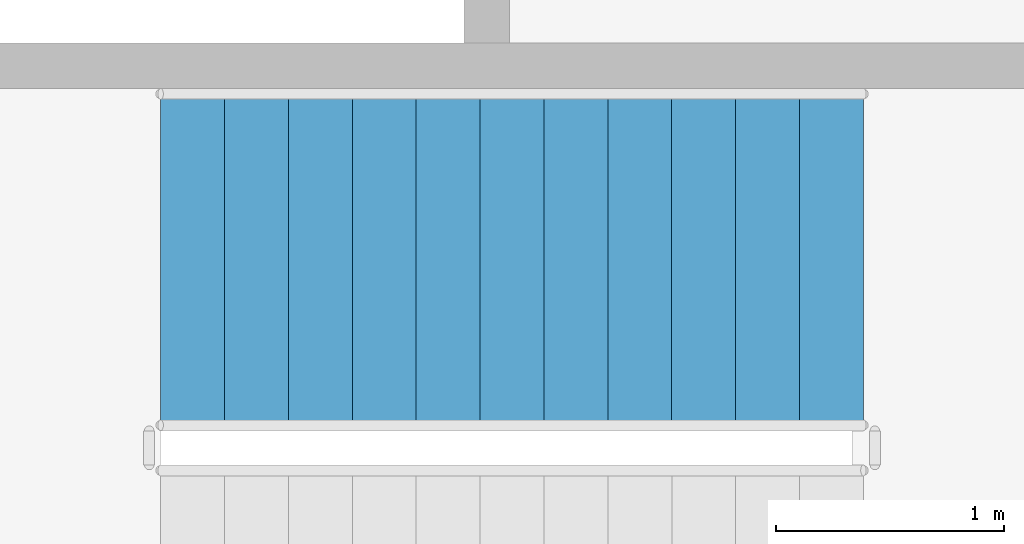
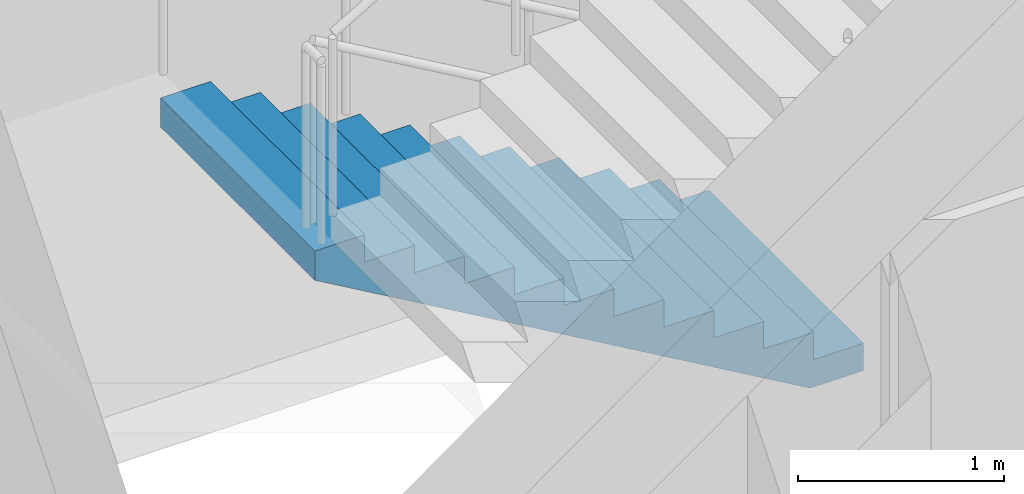
# One storey, part 49 of 56: 1 stair flight, 1 element without a shape of its own.
"""IFC4 building model written with IfcOpenShell, lengths in metres."""

import ifcopenshell
import ifcopenshell.guid

model = None  # the IFC model being written
_history = None  # IfcOwnerHistory: only IFC2X3 demands one
_inside = {}  # id of a spatial element -> (the spatial element, [elements in it])
_under = {}  # id of a project, library or spatial element -> (it, [spatial elements below it])
_declared = {}  # id of a project -> (the project, [libraries it declares])
_typed = {}  # id of a type object -> (the type object, [elements of that type])
_made_of = {}  # id of a material, layer set ... -> (it, [elements and type objects made of it])


def new_model(schema):
    """Start an empty IFC model of exactly this schema.

    Asked for "IFC4X3", IfcOpenShell would pick the latest addendum, in which some entities
    have other attributes; the version numbers below select the first issue.
    IFC2X3 requires an IfcOwnerHistory on every rooted entity: one is made here for all.
    """
    global model, _history
    if schema == "IFC4X3":
        model = ifcopenshell.file(schema_version=(4, 3, 0, 0))
    else:
        model = ifcopenshell.file(schema=schema)
    _inside.clear()
    _under.clear()
    _declared.clear()
    _typed.clear()
    _made_of.clear()
    _history = None
    if model.schema == "IFC2X3":
        org = make("IfcOrganization", Name="unknown")
        user = make(
            "IfcPersonAndOrganization",
            ThePerson=make("IfcPerson", FamilyName="unknown"),
            TheOrganization=org,
        )
        app = make(
            "IfcApplication",
            ApplicationDeveloper=org,
            Version="unknown",
            ApplicationFullName="unknown",
            ApplicationIdentifier="unknown",
        )
        _history = make(
            "IfcOwnerHistory",
            OwningUser=user,
            OwningApplication=app,
            ChangeAction="ADDED",
            CreationDate=0,
        )
    return model


def make(cls, **values):
    """One entity of the class cls with the attributes given. An attribute that is None is left unset."""
    return model.create_entity(
        cls, **{name: value for name, value in values.items() if value is not None}
    )


def rooted(cls, **values):
    """An entity with a GlobalId (a new one), such as an element, a storey or a relation."""
    return make(cls, GlobalId=ifcopenshell.guid.new(), OwnerHistory=_history, **values)


def si_unit(unit_type, name, prefix=None):
    """IfcSIUnit, for example si_unit("LENGTHUNIT", "METRE", prefix="MILLI")."""
    return make("IfcSIUnit", UnitType=unit_type, Prefix=prefix, Name=name)


def assignment(units):
    """IfcUnitAssignment: the units of a project."""
    return None if units is None else make("IfcUnitAssignment", Units=units)


def point(xyz):
    """IfcCartesianPoint."""
    return None if xyz is None else make("IfcCartesianPoint", Coordinates=xyz)


def direction(xyz):
    """IfcDirection."""
    return None if xyz is None else make("IfcDirection", DirectionRatios=xyz)


def frame(location, z_axis=None, x_axis=None):
    """IfcAxis2Placement3D, a coordinate frame: its origin and axes. An axis left out is left unset."""
    return make(
        "IfcAxis2Placement3D",
        Location=point(location),
        Axis=direction(z_axis),
        RefDirection=direction(x_axis),
    )


def origin():
    """The frame at (0, 0, 0) with its axes left unset."""
    return frame((0.0, 0.0, 0.0))


def place(relative_to, where):
    """IfcLocalPlacement: puts the frame where relative to a parent placement (None: the world)."""
    return make(
        "IfcLocalPlacement", PlacementRelTo=relative_to, RelativePlacement=where
    )


def context(
    kind, dimensions, precision=None, world=None, true_north=None, identifier=None
):
    """IfcGeometricRepresentationContext, for example the 3D "Model" context."""
    return make(
        "IfcGeometricRepresentationContext",
        ContextIdentifier=identifier,
        ContextType=kind,
        CoordinateSpaceDimension=dimensions,
        Precision=precision,
        WorldCoordinateSystem=world,
        TrueNorth=true_north,
    )


def subcontext(parent, identifier, kind, view, scale=None):
    """IfcGeometricRepresentationSubContext, for example "Body" below "Model"."""
    return make(
        "IfcGeometricRepresentationSubContext",
        ContextIdentifier=identifier,
        ContextType=kind,
        ParentContext=parent,
        TargetScale=scale,
        TargetView=view,
    )


def project(units=None, contexts=None):
    """IfcProject with its units and contexts."""
    return rooted(
        "IfcProject",
        Name="project",
        RepresentationContexts=contexts,
        UnitsInContext=assignment(units),
    )


def spatial(cls, under=None, at=None, **own):
    """A site, building, storey or space (cls), placed at a placement, below another one or the project."""
    s = rooted(cls, ObjectPlacement=at, **own)
    if under is not None:
        _under.setdefault(under.id(), (under, []))[1].append(s)
    return s


def point_list(points):
    """IfcCartesianPointList2D or 3D."""
    cls = (
        "IfcCartesianPointList2D" if len(points[0]) == 2 else "IfcCartesianPointList3D"
    )
    return make(cls, CoordList=points)


def triangles(points, corners, closed=None, point_numbers=None):
    """IfcTriangulatedFaceSet: each triangle names its three corners, points numbered from 1."""
    return make(
        "IfcTriangulatedFaceSet",
        Coordinates=point_list(points),
        Closed=closed,
        CoordIndex=corners,
        PnIndex=point_numbers,
    )


def shape(context_of_items, identifier, shape_type, items):
    """IfcShapeRepresentation: the items that make up one representation, for example the "Body"."""
    return make(
        "IfcShapeRepresentation",
        ContextOfItems=context_of_items,
        RepresentationIdentifier=identifier,
        RepresentationType=shape_type,
        Items=items,
    )


def material(Name=None, Category=None):
    """IfcMaterial."""
    return make("IfcMaterial", Name=Name, Category=Category)


def made_of(thing, what):
    """Note that an element or type object is made of a material, layer set ...; save() writes the relation."""
    if what is not None:
        _made_of.setdefault(what.id(), (what, []))[1].append(thing)
    return thing


def type_object(cls, material=None, **own):
    """A type object (cls), such as IfcWallType, which elements share."""
    return made_of(rooted(cls, **own), material)


def element(
    cls,
    number,
    at=None,
    inside=None,
    cuts=None,
    type_object=None,
    material=None,
    context=None,
    identifier="Body",
    shape_type=None,
    held_by="IfcProductDefinitionShape",
    body=None,
    shapes=None,
    **own,
):
    """One element of the class cls, such as IfcWall. Its Tag is "e" and its number.

    at: its placement. inside: the storey or other place that contains it. cuts: it is an
    opening in that element (IfcRelVoidsElement). A single representation is given by context,
    identifier, shape_type and body (its items); several are given by shapes. held_by: the class
    of the entity that holds the representations. save() writes the other relations.
    """
    e = rooted(cls, Tag="e%d" % number, ObjectPlacement=at, **own)
    if body is not None:
        shapes = [shape(context, identifier, shape_type, body)]
    if shapes is not None:
        e.Representation = make(held_by, Representations=shapes)
    if inside is not None:
        _inside.setdefault(inside.id(), (inside, []))[1].append(e)
    if cuts is not None:
        rooted(
            "IfcRelVoidsElement", RelatingBuildingElement=cuts, RelatedOpeningElement=e
        )
    if type_object is not None:
        _typed.setdefault(type_object.id(), (type_object, []))[1].append(e)
    return made_of(e, material)


def aggregate(whole, parts):
    """IfcRelAggregates: a whole, such as a stair, and the parts it consists of."""
    return rooted("IfcRelAggregates", RelatingObject=whole, RelatedObjects=parts)


def save(model, path):
    """Write the relations noted so far, then the file.

    IfcRelAggregates (storeys below a building ...), IfcRelContainedInSpatialStructure (elements
    in a storey), IfcRelDefinesByType, IfcRelAssociatesMaterial and IfcRelDeclares: one each for
    every whole, place, type object, material and project.
    """
    for whole, parts in _under.values():
        aggregate(whole, parts)
    for where, things in _inside.values():
        rooted(
            "IfcRelContainedInSpatialStructure",
            RelatedElements=things,
            RelatingStructure=where,
        )
    for kind, things in _typed.values():
        rooted("IfcRelDefinesByType", RelatedObjects=things, RelatingType=kind)
    for what, things in _made_of.values():
        rooted("IfcRelAssociatesMaterial", RelatedObjects=things, RelatingMaterial=what)
    for by, libraries in _declared.values():
        rooted("IfcRelDeclares", RelatingContext=by, RelatedDefinitions=libraries)
    model.write(path)


model = new_model("IFC4")

# Units and contexts
model_context = context("Model", 3, precision=1e-05, world=origin(), true_north=direction((0.0, 1.0)))
body_context = subcontext(model_context, "Body", "Model", "MODEL_VIEW")
ifc_project = project(units=[si_unit("LENGTHUNIT", "METRE"), si_unit("AREAUNIT", "SQUARE_METRE"), si_unit("VOLUMEUNIT", "CUBIC_METRE"), si_unit("PLANEANGLEUNIT", "RADIAN"), si_unit("MASSUNIT", "GRAM", prefix="KILO")], contexts=[model_context])

# Site, building, storey
site_placement = place(None, origin())
site = spatial("IfcSite", under=ifc_project, at=site_placement, CompositionType="ELEMENT")
building_placement = place(site_placement, origin())
building = spatial("IfcBuilding", under=site, at=building_placement, Name="Magnolia Steps Interchange", CompositionType="ELEMENT")
storey_placement = place(building_placement, frame((0.0, 0.0, 8.699951171875)))
storey = spatial("IfcBuildingStorey", under=building, at=storey_placement, Name="L02", CompositionType="ELEMENT", Elevation=8.699951171875)

# Stair, stair flight
ifc_material_1 = material(Name="Concrete C40", Category="concrete")
stair_type = type_object("IfcStairType", Name="Exit stair 1500", PredefinedType="HALF_TURN_STAIR", material=ifc_material_1)
stair_placement = place(storey_placement, origin())
stair = element("IfcStair", 1, at=stair_placement, inside=storey, type_object=stair_type, Name="L02 Stair 28", PredefinedType="HALF_TURN_STAIR")
ifc_material_2 = material(Name="Concrete C40", Category="concrete")
stair_flight_type = type_object("IfcStairFlightType", Name="Exit stair flight", PredefinedType="STRAIGHT", material=ifc_material_2)
stair_flight_placement = place(storey_placement, frame((69.14990234375, 99.25, 0.0), z_axis=(0.0, 0.0, 1.0), x_axis=(-1.0, 0.0, 0.0)))
stair_flight = element("IfcStairFlight", 2, at=stair_flight_placement, type_object=stair_flight_type, Name="Stair 28 flight 1", NumberOfRisers=12, NumberOfTreads=11, PredefinedType="STRAIGHT", RiserHeight=0.1625, TreadLength=0.28, context=body_context, shape_type="Tessellation", body=[
    triangles([(0.0, -0.75, 0.0), (0.298583984375, -0.75, 0.0), (3.080078125, -0.75, 1.6142578125), (3.080078125, -0.75, 1.78759765625), (2.800048828125, -0.75, 1.78759765625), (2.800048828125, -0.75, 1.625), (2.52001953125, -0.75, 1.625), (2.52001953125, -0.75, 1.46240234375), (2.239990234375, -0.75, 1.46240234375), (2.239990234375, -0.75, 1.300048828125), (1.9599609375, -0.75, 1.300048828125), (1.9599609375, -0.75, 1.137451171875), (1.679931640625, -0.75, 1.137451171875), (1.679931640625, -0.75, 0.97509765625), (1.39990234375, -0.75, 0.97509765625), (1.39990234375, -0.75, 0.8125), (1.1201171875, -0.75, 0.8125), (1.1201171875, -0.75, 0.64990234375), (0.840087890625, -0.75, 0.64990234375), (0.840087890625, -0.75, 0.487548828125), (0.56005859375, -0.75, 0.487548828125), (0.56005859375, -0.75, 0.324951171875), (0.280029296875, -0.75, 0.324951171875), (0.280029296875, -0.75, 0.16259765625), (0.0, -0.75, 0.16259765625), (0.0, 0.75, 0.0), (0.298583984375, 0.75, 0.0), (3.080078125, 0.75, 1.6142578125), (3.080078125, 0.75, 1.78759765625), (2.800048828125, 0.75, 1.78759765625), (2.800048828125, 0.75, 1.625), (2.52001953125, 0.75, 1.625), (2.52001953125, 0.75, 1.46240234375), (2.239990234375, 0.75, 1.46240234375), (2.239990234375, 0.75, 1.300048828125), (1.9599609375, 0.75, 1.300048828125), (1.9599609375, 0.75, 1.137451171875), (1.679931640625, 0.75, 1.137451171875), (1.679931640625, 0.75, 0.97509765625), (1.39990234375, 0.75, 0.97509765625), (1.39990234375, 0.75, 0.8125), (1.1201171875, 0.75, 0.8125), (1.1201171875, 0.75, 0.64990234375), (0.840087890625, 0.75, 0.64990234375), (0.840087890625, 0.75, 0.487548828125), (0.56005859375, 0.75, 0.487548828125), (0.56005859375, 0.75, 0.324951171875), (0.280029296875, 0.75, 0.324951171875), (0.280029296875, 0.75, 0.16259765625), (0.0, 0.75, 0.16259765625), (0.0, 0.0, 0.0), (0.0, 0.0, 0.0406494140625), (0.0, 0.0, 0.081298828125), (0.0, 0.0, 0.1219482421875), (0.0, 0.0, 0.16259765625), (0.0, -0.05, 0.0), (0.0, -0.05, 0.16259765625), (0.0, 0.05, 0.0), (0.0, 0.05, 0.16259765625), (0.046671549479166664, 0.0, 0.16259765625), (0.09334309895833333, 0.0, 0.16259765625), (0.1400146484375, 0.0, 0.16259765625), (0.18668619791666666, 0.0, 0.16259765625), (0.23335774739583334, 0.0, 0.16259765625), (0.280029296875, 0.0, 0.16259765625), (0.280029296875, -0.05, 0.16259765625), (0.280029296875, 0.05, 0.16259765625), (0.280029296875, 0.0, 0.20318603515625), (0.280029296875, 0.0, 0.2437744140625), (0.280029296875, 0.0, 0.28436279296875), (0.280029296875, 0.0, 0.324951171875), (0.280029296875, -0.05, 0.324951171875), (0.280029296875, 0.05, 0.324951171875), (0.3267008463541667, 0.0, 0.324951171875), (0.3733723958333333, 0.0, 0.324951171875), (0.4200439453125, 0.0, 0.324951171875), (0.46671549479166663, 0.0, 0.324951171875), (0.5133870442708334, 0.0, 0.324951171875), (0.56005859375, 0.0, 0.324951171875), (0.56005859375, -0.05, 0.324951171875), (0.56005859375, 0.05, 0.324951171875), (0.56005859375, 0.0, 0.3656005859375), (0.56005859375, 0.0, 0.40625), (0.56005859375, 0.0, 0.4468994140625), (0.56005859375, 0.0, 0.487548828125), (0.56005859375, -0.05, 0.487548828125), (0.56005859375, 0.05, 0.487548828125), (0.6067301432291666, 0.0, 0.487548828125), (0.6534016927083334, 0.0, 0.487548828125), (0.7000732421875, 0.0, 0.487548828125), (0.7467447916666666, 0.0, 0.487548828125), (0.7934163411458334, 0.0, 0.487548828125), (0.840087890625, 0.0, 0.487548828125), (0.840087890625, -0.05, 0.487548828125), (0.840087890625, 0.05, 0.487548828125), (0.840087890625, 0.0, 0.52813720703125), (0.840087890625, 0.0, 0.5687255859375), (0.840087890625, 0.0, 0.60931396484375), (0.840087890625, 0.0, 0.64990234375), (0.840087890625, -0.05, 0.64990234375), (0.840087890625, 0.05, 0.64990234375), (0.8867594401041666, 0.0, 0.64990234375), (0.9334309895833334, 0.0, 0.64990234375), (0.9801025390625, 0.0, 0.64990234375), (1.0267740885416667, 0.0, 0.64990234375), (1.0734456380208333, 0.0, 0.64990234375), (1.1201171875, 0.0, 0.64990234375), (1.1201171875, -0.05, 0.64990234375), (1.1201171875, 0.05, 0.64990234375), (1.1201171875, 0.0, 0.6905517578125), (1.1201171875, 0.0, 0.731201171875), (1.1201171875, 0.0, 0.7718505859375), (1.1201171875, 0.0, 0.8125), (1.1201171875, -0.05, 0.8125), (1.1201171875, 0.05, 0.8125), (1.1900634765625, 0.0, 0.8125), (1.260009765625, 0.0, 0.8125), (1.3299560546875, 0.0, 0.8125), (1.39990234375, 0.0, 0.8125), (1.39990234375, -0.05, 0.8125), (1.39990234375, 0.05, 0.8125), (1.39990234375, 0.0, 0.8531494140625), (1.39990234375, 0.0, 0.893798828125), (1.39990234375, 0.0, 0.9344482421875), (1.39990234375, 0.0, 0.97509765625), (1.39990234375, -0.05, 0.97509765625), (1.39990234375, 0.05, 0.97509765625), (1.4465738932291667, 0.0, 0.97509765625), (1.4932454427083333, 0.0, 0.97509765625), (1.5399169921875, 0.0, 0.97509765625), (1.5865885416666667, 0.0, 0.97509765625), (1.6332600911458333, 0.0, 0.97509765625), (1.679931640625, 0.0, 0.97509765625), (1.679931640625, -0.05, 0.97509765625), (1.679931640625, 0.05, 0.97509765625), (1.679931640625, 0.0, 1.01568603515625), (1.679931640625, 0.0, 1.0562744140625), (1.679931640625, 0.0, 1.09686279296875), (1.679931640625, 0.0, 1.137451171875), (1.679931640625, -0.05, 1.137451171875), (1.679931640625, 0.05, 1.137451171875), (1.7266031901041667, 0.0, 1.137451171875), (1.7732747395833333, 0.0, 1.137451171875), (1.8199462890625, 0.0, 1.137451171875), (1.8666178385416667, 0.0, 1.137451171875), (1.9132893880208333, 0.0, 1.137451171875), (1.9599609375, 0.0, 1.137451171875), (1.9599609375, -0.05, 1.137451171875), (1.9599609375, 0.05, 1.137451171875), (1.9599609375, 0.0, 1.1781005859375), (1.9599609375, 0.0, 1.21875), (1.9599609375, 0.0, 1.2593994140625), (1.9599609375, 0.0, 1.300048828125), (1.9599609375, -0.05, 1.300048828125), (1.9599609375, 0.05, 1.300048828125), (2.0066324869791665, 0.0, 1.300048828125), (2.0533040364583335, 0.0, 1.300048828125), (2.0999755859375, 0.0, 1.300048828125), (2.1466471354166665, 0.0, 1.300048828125), (2.1933186848958335, 0.0, 1.300048828125), (2.239990234375, 0.0, 1.300048828125), (2.239990234375, -0.05, 1.300048828125), (2.239990234375, 0.05, 1.300048828125), (2.239990234375, 0.0, 1.34063720703125), (2.239990234375, 0.0, 1.3812255859375), (2.239990234375, 0.0, 1.42181396484375), (2.239990234375, 0.0, 1.46240234375), (2.239990234375, -0.05, 1.46240234375), (2.239990234375, 0.05, 1.46240234375), (2.2866617838541665, 0.0, 1.46240234375), (2.3333333333333335, 0.0, 1.46240234375), (2.3800048828125, 0.0, 1.46240234375), (2.4266764322916665, 0.0, 1.46240234375), (2.4733479817708335, 0.0, 1.46240234375), (2.52001953125, 0.0, 1.46240234375), (2.52001953125, -0.05, 1.46240234375), (2.52001953125, 0.05, 1.46240234375), (2.52001953125, 0.0, 1.5030517578125), (2.52001953125, 0.0, 1.543701171875), (2.52001953125, 0.0, 1.5843505859375), (2.52001953125, 0.0, 1.625), (2.52001953125, -0.05, 1.625), (2.52001953125, 0.05, 1.625), (2.5666910807291665, 0.0, 1.625), (2.6133626302083335, 0.0, 1.625), (2.6600341796875, 0.0, 1.625), (2.7067057291666665, 0.0, 1.625), (2.7533772786458335, 0.0, 1.625), (2.800048828125, 0.0, 1.625), (2.800048828125, -0.05, 1.625), (2.800048828125, 0.05, 1.625), (2.800048828125, 0.0, 1.6656494140625), (2.800048828125, 0.0, 1.706298828125), (2.800048828125, 0.0, 1.7469482421875), (2.800048828125, 0.0, 1.78759765625), (2.800048828125, -0.05, 1.78759765625), (2.800048828125, 0.05, 1.78759765625), (2.8467203776041665, 0.0, 1.78759765625), (2.8933919270833335, 0.0, 1.78759765625), (2.9400634765625, 0.0, 1.78759765625), (2.9867350260416665, 0.0, 1.78759765625), (3.0334065755208335, 0.0, 1.78759765625), (3.080078125, 0.0, 1.78759765625), (3.080078125, -0.05, 1.78759765625), (3.080078125, 0.05, 1.78759765625), (3.080078125, 0.0, 1.7442626953125), (3.080078125, 0.0, 1.700927734375), (3.080078125, 0.0, 1.6575927734375), (3.080078125, 0.0, 1.6142578125), (3.080078125, -0.05, 1.6142578125), (3.080078125, 0.05, 1.6142578125), (3.0196108610733696, 0.0, 1.5791652513586956), (2.9591435971467392, 0.0, 1.5440726902173914), (2.898676333220109, 0.0, 1.508980129076087), (2.8382090692934785, 0.0, 1.4738875679347827), (2.7777418053668477, 0.0, 1.4387950067934783), (2.7172745414402173, 0.0, 1.4037024456521738), (2.656807277513587, 0.0, 1.3686098845108696), (2.5963400135869565, 0.0, 1.3335173233695652), (2.535872749660326, 0.0, 1.2984247622282608), (2.475405485733696, 0.0, 1.2633322010869565), (2.4149382218070654, 0.0, 1.228239639945652), (2.3544709578804346, 0.0, 1.193147078804348), (2.294003693953804, 0.0, 1.1580545176630435), (2.233536430027174, 0.0, 1.1229619565217392), (2.1730691661005435, 0.0, 1.0878693953804348), (2.112601902173913, 0.0, 1.0527768342391304), (2.0521346382472827, 0.0, 1.0176842730978262), (1.991667374320652, 0.0, 0.9825917119565217), (1.9312001103940217, 0.0, 0.9474991508152174), (1.8707328464673914, 0.0, 0.9124065896739131), (1.810265582540761, 0.0, 0.8773140285326086), (1.7497983186141304, 0.0, 0.8422214673913043), (1.6893310546875, 0.0, 0.80712890625), (1.6288637907608696, 0.0, 0.7720363451086957), (1.568396526834239, 0.0, 0.7369437839673914), (1.5079292629076086, 0.0, 0.7018512228260869), (1.4474619989809783, 0.0, 0.6667586616847826), (1.386994735054348, 0.0, 0.6316661005434783), (1.3265274711277173, 0.0, 0.5965735394021738), (1.266060207201087, 0.0, 0.5614809782608696), (1.2055929432744565, 0.0, 0.5263884171195652), (1.1451256793478262, 0.0, 0.491295855978261), (1.0846584154211956, 0.0, 0.45620329483695654), (1.0241911514945654, 0.0, 0.4211107336956521), (0.9637238875679346, 0.0, 0.3860181725543479), (0.9032566236413042, 0.0, 0.35092561141304346), (0.8427893597146738, 0.0, 0.315833050271739), (0.7823220957880435, 0.0, 0.2807404891304348), (0.7218548318614131, 0.0, 0.24564792798913038), (0.6613875679347827, 0.0, 0.21055536684782616), (0.6009203040081523, 0.0, 0.17546280570652173), (0.540453040081522, 0.0, 0.1403702445652173), (0.47998577615489113, 0.0, 0.10527768342391308), (0.41951851222826075, 0.0, 0.07018512228260865), (0.3590512483016304, 0.0, 0.035092561141304435), (0.298583984375, 0.0, 0.0), (0.298583984375, -0.05, 0.0), (0.298583984375, 0.05, 0.0), (0.24881998697916666, 0.0, 0.0), (0.19905598958333331, 0.0, 0.0), (0.1492919921875, 0.0, 0.0), (0.09952799479166666, 0.0, 0.0), (0.04976399739583334, 0.0, 0.0)], [[1, 2, 3], [3, 4, 5], [3, 5, 6], [3, 6, 7], [3, 7, 8], [8, 9, 10], [3, 8, 10], [10, 11, 12], [3, 10, 12], [12, 13, 14], [3, 12, 14], [14, 15, 16], [3, 14, 16], [16, 17, 18], [3, 16, 18], [18, 19, 20], [3, 18, 20], [20, 21, 22], [3, 20, 22], [1, 3, 22], [22, 23, 24], [1, 22, 24], [24, 25, 1], [26, 28, 27], [28, 30, 29], [28, 31, 30], [28, 32, 31], [28, 33, 32], [33, 35, 34], [28, 35, 33], [35, 37, 36], [28, 37, 35], [37, 39, 38], [28, 39, 37], [39, 41, 40], [28, 41, 39], [41, 43, 42], [28, 43, 41], [43, 45, 44], [28, 45, 43], [45, 47, 46], [28, 47, 45], [26, 47, 28], [47, 49, 48], [26, 49, 47], [49, 26, 50], [1, 25, 57], [1, 57, 56], [56, 52, 51], [56, 53, 52], [56, 57, 53], [57, 54, 53], [57, 55, 54], [26, 59, 50], [26, 58, 59], [58, 51, 52], [58, 52, 53], [58, 53, 59], [59, 53, 54], [59, 54, 55], [25, 24, 66], [25, 66, 57], [57, 60, 55], [57, 61, 60], [57, 62, 61], [57, 66, 62], [66, 63, 62], [66, 64, 63], [66, 65, 64], [50, 67, 49], [50, 59, 67], [59, 55, 60], [59, 60, 61], [59, 61, 62], [59, 62, 67], [67, 62, 63], [67, 63, 64], [67, 64, 65], [24, 23, 72], [24, 72, 66], [66, 68, 65], [66, 69, 68], [66, 72, 69], [72, 70, 69], [72, 71, 70], [49, 73, 48], [49, 67, 73], [67, 65, 68], [67, 68, 69], [67, 69, 73], [73, 69, 70], [73, 70, 71], [23, 22, 80], [23, 80, 72], [72, 74, 71], [72, 75, 74], [72, 76, 75], [72, 80, 76], [80, 77, 76], [80, 78, 77], [80, 79, 78], [48, 81, 47], [48, 73, 81], [73, 71, 74], [73, 74, 75], [73, 75, 76], [73, 76, 81], [81, 76, 77], [81, 77, 78], [81, 78, 79], [22, 21, 86], [22, 86, 80], [80, 82, 79], [80, 83, 82], [80, 86, 83], [86, 84, 83], [86, 85, 84], [47, 87, 46], [47, 81, 87], [81, 79, 82], [81, 82, 83], [81, 83, 87], [87, 83, 84], [87, 84, 85], [21, 20, 94], [21, 94, 86], [86, 88, 85], [86, 89, 88], [86, 90, 89], [86, 94, 90], [94, 91, 90], [94, 92, 91], [94, 93, 92], [46, 95, 45], [46, 87, 95], [87, 85, 88], [87, 88, 89], [87, 89, 90], [87, 90, 95], [95, 90, 91], [95, 91, 92], [95, 92, 93], [20, 19, 100], [20, 100, 94], [94, 96, 93], [94, 97, 96], [94, 100, 97], [100, 98, 97], [100, 99, 98], [45, 101, 44], [45, 95, 101], [95, 93, 96], [95, 96, 97], [95, 97, 101], [101, 97, 98], [101, 98, 99], [19, 18, 108], [19, 108, 100], [100, 102, 99], [100, 103, 102], [100, 104, 103], [100, 108, 104], [108, 105, 104], [108, 106, 105], [108, 107, 106], [44, 109, 43], [44, 101, 109], [101, 99, 102], [101, 102, 103], [101, 103, 104], [101, 104, 109], [109, 104, 105], [109, 105, 106], [109, 106, 107], [18, 17, 114], [18, 114, 108], [108, 110, 107], [108, 111, 110], [108, 114, 111], [114, 112, 111], [114, 113, 112], [43, 115, 42], [43, 109, 115], [109, 107, 110], [109, 110, 111], [109, 111, 115], [115, 111, 112], [115, 112, 113], [17, 16, 120], [17, 120, 114], [114, 116, 113], [114, 117, 116], [114, 120, 117], [120, 118, 117], [120, 119, 118], [42, 121, 41], [42, 115, 121], [115, 113, 116], [115, 116, 117], [115, 117, 121], [121, 117, 118], [121, 118, 119], [16, 15, 126], [16, 126, 120], [120, 122, 119], [120, 123, 122], [120, 126, 123], [126, 124, 123], [126, 125, 124], [41, 127, 40], [41, 121, 127], [121, 119, 122], [121, 122, 123], [121, 123, 127], [127, 123, 124], [127, 124, 125], [15, 14, 134], [15, 134, 126], [126, 128, 125], [126, 129, 128], [126, 130, 129], [126, 134, 130], [134, 131, 130], [134, 132, 131], [134, 133, 132], [40, 135, 39], [40, 127, 135], [127, 125, 128], [127, 128, 129], [127, 129, 130], [127, 130, 135], [135, 130, 131], [135, 131, 132], [135, 132, 133], [14, 13, 140], [14, 140, 134], [134, 136, 133], [134, 137, 136], [134, 140, 137], [140, 138, 137], [140, 139, 138], [39, 141, 38], [39, 135, 141], [135, 133, 136], [135, 136, 137], [135, 137, 141], [141, 137, 138], [141, 138, 139], [13, 12, 148], [13, 148, 140], [140, 142, 139], [140, 143, 142], [140, 144, 143], [140, 148, 144], [148, 145, 144], [148, 146, 145], [148, 147, 146], [38, 149, 37], [38, 141, 149], [141, 139, 142], [141, 142, 143], [141, 143, 144], [141, 144, 149], [149, 144, 145], [149, 145, 146], [149, 146, 147], [12, 11, 154], [12, 154, 148], [148, 150, 147], [148, 151, 150], [148, 154, 151], [154, 152, 151], [154, 153, 152], [37, 155, 36], [37, 149, 155], [149, 147, 150], [149, 150, 151], [149, 151, 155], [155, 151, 152], [155, 152, 153], [11, 10, 162], [11, 162, 154], [154, 156, 153], [154, 157, 156], [154, 158, 157], [154, 162, 158], [162, 159, 158], [162, 160, 159], [162, 161, 160], [36, 163, 35], [36, 155, 163], [155, 153, 156], [155, 156, 157], [155, 157, 158], [155, 158, 163], [163, 158, 159], [163, 159, 160], [163, 160, 161], [10, 9, 168], [10, 168, 162], [162, 164, 161], [162, 165, 164], [162, 168, 165], [168, 166, 165], [168, 167, 166], [35, 169, 34], [35, 163, 169], [163, 161, 164], [163, 164, 165], [163, 165, 169], [169, 165, 166], [169, 166, 167], [9, 8, 176], [9, 176, 168], [168, 170, 167], [168, 171, 170], [168, 172, 171], [168, 176, 172], [176, 173, 172], [176, 174, 173], [176, 175, 174], [34, 177, 33], [34, 169, 177], [169, 167, 170], [169, 170, 171], [169, 171, 172], [169, 172, 177], [177, 172, 173], [177, 173, 174], [177, 174, 175], [8, 7, 182], [8, 182, 176], [176, 178, 175], [176, 179, 178], [176, 182, 179], [182, 180, 179], [182, 181, 180], [33, 183, 32], [33, 177, 183], [177, 175, 178], [177, 178, 179], [177, 179, 183], [183, 179, 180], [183, 180, 181], [7, 6, 190], [7, 190, 182], [182, 184, 181], [182, 185, 184], [182, 186, 185], [182, 190, 186], [190, 187, 186], [190, 188, 187], [190, 189, 188], [32, 191, 31], [32, 183, 191], [183, 181, 184], [183, 184, 185], [183, 185, 186], [183, 186, 191], [191, 186, 187], [191, 187, 188], [191, 188, 189], [6, 5, 196], [6, 196, 190], [190, 192, 189], [190, 193, 192], [190, 196, 193], [196, 194, 193], [196, 195, 194], [31, 197, 30], [31, 191, 197], [191, 189, 192], [191, 192, 193], [191, 193, 197], [197, 193, 194], [197, 194, 195], [5, 4, 204], [5, 204, 196], [196, 198, 195], [196, 199, 198], [196, 200, 199], [196, 204, 200], [204, 201, 200], [204, 202, 201], [204, 203, 202], [30, 205, 29], [30, 197, 205], [197, 195, 198], [197, 198, 199], [197, 199, 200], [197, 200, 205], [205, 200, 201], [205, 201, 202], [205, 202, 203], [4, 3, 210], [4, 210, 204], [204, 206, 203], [204, 207, 206], [204, 210, 207], [210, 208, 207], [210, 209, 208], [29, 211, 28], [29, 205, 211], [205, 203, 206], [205, 206, 207], [205, 207, 211], [211, 207, 208], [211, 208, 209], [3, 2, 258], [3, 258, 210], [210, 212, 209], [210, 213, 212], [210, 214, 213], [210, 215, 214], [210, 216, 215], [210, 217, 216], [210, 218, 217], [210, 219, 218], [210, 220, 219], [210, 221, 220], [210, 222, 221], [210, 223, 222], [210, 224, 223], [210, 225, 224], [210, 226, 225], [210, 227, 226], [210, 228, 227], [210, 229, 228], [210, 230, 229], [210, 231, 230], [210, 232, 231], [210, 233, 232], [210, 234, 233], [210, 258, 234], [258, 235, 234], [258, 236, 235], [258, 237, 236], [258, 238, 237], [258, 239, 238], [258, 240, 239], [258, 241, 240], [258, 242, 241], [258, 243, 242], [258, 244, 243], [258, 245, 244], [258, 246, 245], [258, 247, 246], [258, 248, 247], [258, 249, 248], [258, 250, 249], [258, 251, 250], [258, 252, 251], [258, 253, 252], [258, 254, 253], [258, 255, 254], [258, 256, 255], [258, 257, 256], [28, 259, 27], [28, 211, 259], [211, 209, 212], [211, 212, 213], [211, 213, 214], [211, 214, 215], [211, 215, 216], [211, 216, 217], [211, 217, 218], [211, 218, 219], [211, 219, 220], [211, 220, 221], [211, 221, 222], [211, 222, 223], [211, 223, 224], [211, 224, 225], [211, 225, 226], [211, 226, 227], [211, 227, 228], [211, 228, 229], [211, 229, 230], [211, 230, 231], [211, 231, 232], [211, 232, 233], [211, 233, 234], [211, 234, 259], [259, 234, 235], [259, 235, 236], [259, 236, 237], [259, 237, 238], [259, 238, 239], [259, 239, 240], [259, 240, 241], [259, 241, 242], [259, 242, 243], [259, 243, 244], [259, 244, 245], [259, 245, 246], [259, 246, 247], [259, 247, 248], [259, 248, 249], [259, 249, 250], [259, 250, 251], [259, 251, 252], [259, 252, 253], [259, 253, 254], [259, 254, 255], [259, 255, 256], [259, 256, 257], [2, 1, 56], [2, 56, 258], [258, 260, 257], [258, 261, 260], [258, 262, 261], [258, 56, 262], [56, 263, 262], [56, 264, 263], [56, 51, 264], [27, 58, 26], [27, 259, 58], [259, 257, 260], [259, 260, 261], [259, 261, 262], [259, 262, 58], [58, 262, 263], [58, 263, 264], [58, 264, 51]], closed=True),
])
aggregate(stair, [stair_flight])

save(model, "model.ifc")
